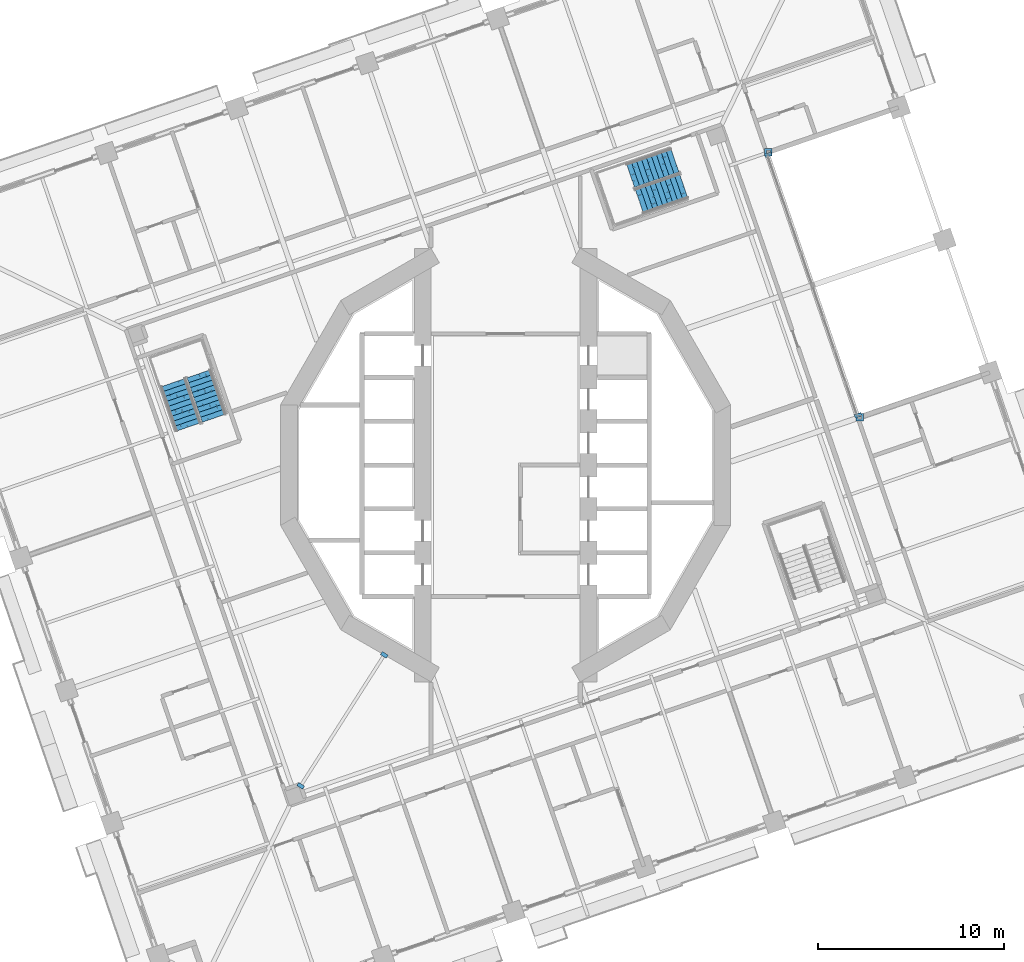
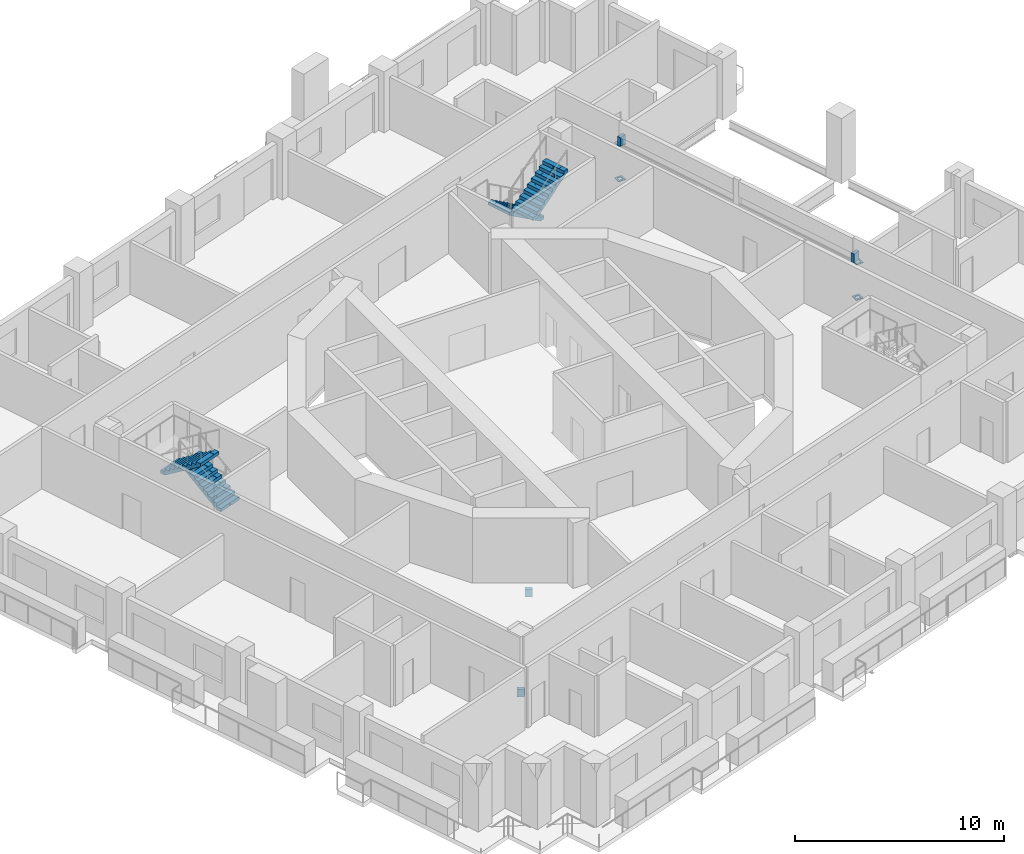
# One storey, part 13 of 19: 8 discrete accessories, 4 stair flights, 2 elements without a shape of their own.
"""IFC4 building model written with IfcOpenShell, lengths in metres."""

from ifc_helpers import new_model, si_unit, direction, frame, origin, place, context, subcontext, project, spatial, polyline, outline, extrude, material, layer, layer_set, type_object, element, aggregate, save


model = new_model("IFC4")

# Units and contexts
model_context = context("Model", 3, precision=1e-05, world=origin(), true_north=direction((0.0, 1.0)))
body_context = subcontext(model_context, "Body", "Model", "MODEL_VIEW")
ifc_project = project(units=[si_unit("LENGTHUNIT", "METRE"), si_unit("AREAUNIT", "SQUARE_METRE"), si_unit("VOLUMEUNIT", "CUBIC_METRE"), si_unit("PLANEANGLEUNIT", "RADIAN"), si_unit("MASSUNIT", "GRAM", prefix="KILO")], contexts=[model_context])

# Site, building, storey
site_placement = place(None, origin())
site = spatial("IfcSite", under=ifc_project, at=site_placement, CompositionType="ELEMENT")
building_placement = place(site_placement, origin())
building = spatial("IfcBuilding", under=site, at=building_placement, Name="Cantera Rosa Tower", CompositionType="ELEMENT")
storey_placement = place(building_placement, frame((0.0, 0.0, 126.89990234375)))
storey = spatial("IfcBuildingStorey", under=building, at=storey_placement, Name="L26", CompositionType="ELEMENT", Elevation=126.89990234375)

# Stair, stair flights
ifc_material_1 = material(Name="Concrete C35/45", Category="concrete")
stair_type = type_object("IfcStairType", Name="EXIT STAIR 1350 DOGLEG", PredefinedType="HALF_TURN_STAIR", material=ifc_material_1)
stair_1_placement = place(storey_placement, origin())
stair_1 = element("IfcStair", 1, at=stair_1_placement, inside=storey, type_object=stair_type, Name="L26 ST-21", PredefinedType="HALF_TURN_STAIR")
ifc_material_2 = material(Name="Concrete C35/45", Category="concrete")
stair_flight_type = type_object("IfcStairFlightType", Name="STAIR FLIGHT 1350 R20x190", PredefinedType="STRAIGHT", material=ifc_material_2)
stair_flight_1_placement = place(storey_placement, frame((9.07958984375, 16.364990234375, 0.0), z_axis=(0.0, 0.0, 1.0), x_axis=(-0.945518575599, -0.325568154457, 0.0)))
stair_flight_1 = element("IfcStairFlight", 2, at=stair_flight_1_placement, type_object=stair_flight_type, Name="ST-21 flight 1", NumberOfRisers=10, NumberOfTreads=9, PredefinedType="STRAIGHT", RiserHeight=0.19, TreadLength=0.28, context=body_context, shape_type="SweptSolid", body=[
    extrude(outline(polyline([(0.0, 0.0), (0.0, 0.18994140625), (0.280029296875, 0.18994140625), (0.280029296875, 0.3798828125), (0.56005859375, 0.3798828125), (0.56005859375, 0.570068359375), (0.840087890625, 0.570068359375), (0.840087890625, 0.760009765625), (1.1201171875, 0.760009765625), (1.1201171875, 0.949951171875), (1.39990234375, 0.949951171875), (1.39990234375, 1.139892578125), (1.679931640625, 1.139892578125), (1.679931640625, 1.330078125), (1.9599609375, 1.330078125), (1.9599609375, 1.52001953125), (2.239990234375, 1.52001953125), (2.239990234375, 1.7099609375), (2.52001953125, 1.7099609375), (2.52001953125, 1.89990234375), (2.52001953125, 1.52880859375), (0.266845703125, 0.0), (0.0, 0.0)])), frame((0.0, 0.675048828125, 0.0), z_axis=(0.0, -1.0, 0.0), x_axis=(1.0, 0.0, 0.0)), (0.0, 0.0, 1.0), 0.3359375),
    extrude(outline(polyline([(0.0, 0.0), (0.0, 0.18994140625), (0.280029296875, 0.18994140625), (0.280029296875, 0.3798828125), (0.56005859375, 0.3798828125), (0.56005859375, 0.570068359375), (0.840087890625, 0.570068359375), (0.840087890625, 0.760009765625), (1.1201171875, 0.760009765625), (1.1201171875, 0.949951171875), (1.39990234375, 0.949951171875), (1.39990234375, 1.139892578125), (1.679931640625, 1.139892578125), (1.679931640625, 1.330078125), (1.9599609375, 1.330078125), (1.9599609375, 1.52001953125), (2.239990234375, 1.52001953125), (2.239990234375, 1.7099609375), (2.52001953125, 1.7099609375), (2.52001953125, 1.89990234375), (2.52001953125, 1.52880859375), (0.266845703125, 0.0), (0.0, 0.0)])), frame((0.0, 0.337158203125, 0.0), z_axis=(0.0, -1.0, 0.0), x_axis=(1.0, 0.0, 0.0)), (0.0, 0.0, 1.0), 0.3359375),
    extrude(outline(polyline([(0.0, 0.0), (0.0, 0.18994140625), (0.280029296875, 0.18994140625), (0.280029296875, 0.3798828125), (0.56005859375, 0.3798828125), (0.56005859375, 0.570068359375), (0.840087890625, 0.570068359375), (0.840087890625, 0.760009765625), (1.1201171875, 0.760009765625), (1.1201171875, 0.949951171875), (1.39990234375, 0.949951171875), (1.39990234375, 1.139892578125), (1.679931640625, 1.139892578125), (1.679931640625, 1.330078125), (1.9599609375, 1.330078125), (1.9599609375, 1.52001953125), (2.239990234375, 1.52001953125), (2.239990234375, 1.7099609375), (2.52001953125, 1.7099609375), (2.52001953125, 1.89990234375), (2.52001953125, 1.52880859375), (0.266845703125, 0.0), (0.0, 0.0)])), frame((0.0, -0.000732421875, 0.0), z_axis=(0.0, -1.0, 0.0), x_axis=(1.0, 0.0, 0.0)), (0.0, 0.0, 1.0), 0.3359375),
    extrude(outline(polyline([(0.0, 0.0), (0.0, 0.18994140625), (0.280029296875, 0.18994140625), (0.280029296875, 0.3798828125), (0.56005859375, 0.3798828125), (0.56005859375, 0.570068359375), (0.840087890625, 0.570068359375), (0.840087890625, 0.760009765625), (1.1201171875, 0.760009765625), (1.1201171875, 0.949951171875), (1.39990234375, 0.949951171875), (1.39990234375, 1.139892578125), (1.679931640625, 1.139892578125), (1.679931640625, 1.330078125), (1.9599609375, 1.330078125), (1.9599609375, 1.52001953125), (2.239990234375, 1.52001953125), (2.239990234375, 1.7099609375), (2.52001953125, 1.7099609375), (2.52001953125, 1.89990234375), (2.52001953125, 1.52880859375), (0.266845703125, 0.0), (0.0, 0.0)])), frame((0.0, -0.338623046875, 0.0), z_axis=(0.0, -1.0, 0.0), x_axis=(1.0, 0.0, 0.0)), (0.0, 0.0, 1.0), 0.3359375),
])
stair_flight_2_placement = place(storey_placement, frame((7.185302734375, 14.126220703125, 1.900146484375), z_axis=(0.0, 0.0, 1.0), x_axis=(0.945518575599, 0.325568154457, 0.0)))
stair_flight_2 = element("IfcStairFlight", 3, at=stair_flight_2_placement, type_object=stair_flight_type, Name="ST-21 flight 2", NumberOfRisers=10, NumberOfTreads=9, PredefinedType="STRAIGHT", RiserHeight=0.19, TreadLength=0.28, context=body_context, shape_type="SweptSolid", body=[
    extrude(outline(polyline([(0.0, 0.0), (0.0, 0.18994140625), (0.280029296875, 0.18994140625), (0.280029296875, 0.3798828125), (0.56005859375, 0.3798828125), (0.56005859375, 0.570068359375), (0.840087890625, 0.570068359375), (0.840087890625, 0.760009765625), (1.1201171875, 0.760009765625), (1.1201171875, 0.949951171875), (1.39990234375, 0.949951171875), (1.39990234375, 1.139892578125), (1.679931640625, 1.139892578125), (1.679931640625, 1.330078125), (1.9599609375, 1.330078125), (1.9599609375, 1.52001953125), (2.239990234375, 1.52001953125), (2.239990234375, 1.7099609375), (2.52001953125, 1.7099609375), (2.52001953125, 1.89990234375), (2.52001953125, 1.52880859375), (0.266845703125, 0.0), (0.0, 0.0)])), frame((0.0, 0.675048828125, 0.0), z_axis=(0.0, -1.0, 0.0), x_axis=(1.0, 0.0, 0.0)), (0.0, 0.0, 1.0), 0.3359375),
    extrude(outline(polyline([(0.0, 0.0), (0.0, 0.18994140625), (0.280029296875, 0.18994140625), (0.280029296875, 0.3798828125), (0.56005859375, 0.3798828125), (0.56005859375, 0.570068359375), (0.840087890625, 0.570068359375), (0.840087890625, 0.760009765625), (1.1201171875, 0.760009765625), (1.1201171875, 0.949951171875), (1.39990234375, 0.949951171875), (1.39990234375, 1.139892578125), (1.679931640625, 1.139892578125), (1.679931640625, 1.330078125), (1.9599609375, 1.330078125), (1.9599609375, 1.52001953125), (2.239990234375, 1.52001953125), (2.239990234375, 1.7099609375), (2.52001953125, 1.7099609375), (2.52001953125, 1.89990234375), (2.52001953125, 1.52880859375), (0.266845703125, 0.0), (0.0, 0.0)])), frame((0.0, 0.337158203125, 0.0), z_axis=(0.0, -1.0, 0.0), x_axis=(1.0, 0.0, 0.0)), (0.0, 0.0, 1.0), 0.3359375),
    extrude(outline(polyline([(0.0, 0.0), (0.0, 0.18994140625), (0.280029296875, 0.18994140625), (0.280029296875, 0.3798828125), (0.56005859375, 0.3798828125), (0.56005859375, 0.570068359375), (0.840087890625, 0.570068359375), (0.840087890625, 0.760009765625), (1.1201171875, 0.760009765625), (1.1201171875, 0.949951171875), (1.39990234375, 0.949951171875), (1.39990234375, 1.139892578125), (1.679931640625, 1.139892578125), (1.679931640625, 1.330078125), (1.9599609375, 1.330078125), (1.9599609375, 1.52001953125), (2.239990234375, 1.52001953125), (2.239990234375, 1.7099609375), (2.52001953125, 1.7099609375), (2.52001953125, 1.89990234375), (2.52001953125, 1.52880859375), (0.266845703125, 0.0), (0.0, 0.0)])), frame((0.0, -0.000732421875, 0.0), z_axis=(0.0, -1.0, 0.0), x_axis=(1.0, 0.0, 0.0)), (0.0, 0.0, 1.0), 0.3359375),
    extrude(outline(polyline([(0.0, 0.0), (0.0, 0.18994140625), (0.280029296875, 0.18994140625), (0.280029296875, 0.3798828125), (0.56005859375, 0.3798828125), (0.56005859375, 0.570068359375), (0.840087890625, 0.570068359375), (0.840087890625, 0.760009765625), (1.1201171875, 0.760009765625), (1.1201171875, 0.949951171875), (1.39990234375, 0.949951171875), (1.39990234375, 1.139892578125), (1.679931640625, 1.139892578125), (1.679931640625, 1.330078125), (1.9599609375, 1.330078125), (1.9599609375, 1.52001953125), (2.239990234375, 1.52001953125), (2.239990234375, 1.7099609375), (2.52001953125, 1.7099609375), (2.52001953125, 1.89990234375), (2.52001953125, 1.52880859375), (0.266845703125, 0.0), (0.0, 0.0)])), frame((0.0, -0.338623046875, 0.0), z_axis=(0.0, -1.0, 0.0), x_axis=(1.0, 0.0, 0.0)), (0.0, 0.0, 1.0), 0.3359375),
])
aggregate(stair_1, [stair_flight_1, stair_flight_2])

stair_2_placement = place(storey_placement, origin())
stair_2 = element("IfcStair", 4, at=stair_2_placement, inside=storey, type_object=stair_type, Name="L26 ST-22", PredefinedType="HALF_TURN_STAIR")
stair_flight_3_placement = place(storey_placement, frame((-15.635009765625, 2.5205078125, 0.0), z_axis=(0.0, 0.0, 1.0), x_axis=(-0.325568154457, 0.945518575599, 0.0)))
stair_flight_3 = element("IfcStairFlight", 5, at=stair_flight_3_placement, type_object=stair_flight_type, Name="ST-22 flight 1", NumberOfRisers=10, NumberOfTreads=9, PredefinedType="STRAIGHT", RiserHeight=0.19, TreadLength=0.28, context=body_context, shape_type="SweptSolid", body=[
    extrude(outline(polyline([(0.0, 0.0), (0.0, 0.18994140625), (0.280029296875, 0.18994140625), (0.280029296875, 0.3798828125), (0.56005859375, 0.3798828125), (0.56005859375, 0.570068359375), (0.840087890625, 0.570068359375), (0.840087890625, 0.760009765625), (1.1201171875, 0.760009765625), (1.1201171875, 0.949951171875), (1.39990234375, 0.949951171875), (1.39990234375, 1.139892578125), (1.679931640625, 1.139892578125), (1.679931640625, 1.330078125), (1.9599609375, 1.330078125), (1.9599609375, 1.52001953125), (2.239990234375, 1.52001953125), (2.239990234375, 1.7099609375), (2.52001953125, 1.7099609375), (2.52001953125, 1.89990234375), (2.52001953125, 1.52880859375), (0.266845703125, 0.0), (0.0, 0.0)])), frame((0.0, 0.675048828125, 0.0), z_axis=(0.0, -1.0, 0.0), x_axis=(1.0, 0.0, 0.0)), (0.0, 0.0, 1.0), 0.3359375),
    extrude(outline(polyline([(0.0, 0.0), (0.0, 0.18994140625), (0.280029296875, 0.18994140625), (0.280029296875, 0.3798828125), (0.56005859375, 0.3798828125), (0.56005859375, 0.570068359375), (0.840087890625, 0.570068359375), (0.840087890625, 0.760009765625), (1.1201171875, 0.760009765625), (1.1201171875, 0.949951171875), (1.39990234375, 0.949951171875), (1.39990234375, 1.139892578125), (1.679931640625, 1.139892578125), (1.679931640625, 1.330078125), (1.9599609375, 1.330078125), (1.9599609375, 1.52001953125), (2.239990234375, 1.52001953125), (2.239990234375, 1.7099609375), (2.52001953125, 1.7099609375), (2.52001953125, 1.89990234375), (2.52001953125, 1.52880859375), (0.266845703125, 0.0), (0.0, 0.0)])), frame((0.0, 0.337158203125, 0.0), z_axis=(0.0, -1.0, 0.0), x_axis=(1.0, 0.0, 0.0)), (0.0, 0.0, 1.0), 0.3359375),
    extrude(outline(polyline([(0.0, 0.0), (0.0, 0.18994140625), (0.280029296875, 0.18994140625), (0.280029296875, 0.3798828125), (0.56005859375, 0.3798828125), (0.56005859375, 0.570068359375), (0.840087890625, 0.570068359375), (0.840087890625, 0.760009765625), (1.1201171875, 0.760009765625), (1.1201171875, 0.949951171875), (1.39990234375, 0.949951171875), (1.39990234375, 1.139892578125), (1.679931640625, 1.139892578125), (1.679931640625, 1.330078125), (1.9599609375, 1.330078125), (1.9599609375, 1.52001953125), (2.239990234375, 1.52001953125), (2.239990234375, 1.7099609375), (2.52001953125, 1.7099609375), (2.52001953125, 1.89990234375), (2.52001953125, 1.52880859375), (0.266845703125, 0.0), (0.0, 0.0)])), frame((0.0, -0.000732421875, 0.0), z_axis=(0.0, -1.0, 0.0), x_axis=(1.0, 0.0, 0.0)), (0.0, 0.0, 1.0), 0.3359375),
    extrude(outline(polyline([(0.0, 0.0), (0.0, 0.18994140625), (0.280029296875, 0.18994140625), (0.280029296875, 0.3798828125), (0.56005859375, 0.3798828125), (0.56005859375, 0.570068359375), (0.840087890625, 0.570068359375), (0.840087890625, 0.760009765625), (1.1201171875, 0.760009765625), (1.1201171875, 0.949951171875), (1.39990234375, 0.949951171875), (1.39990234375, 1.139892578125), (1.679931640625, 1.139892578125), (1.679931640625, 1.330078125), (1.9599609375, 1.330078125), (1.9599609375, 1.52001953125), (2.239990234375, 1.52001953125), (2.239990234375, 1.7099609375), (2.52001953125, 1.7099609375), (2.52001953125, 1.89990234375), (2.52001953125, 1.52880859375), (0.266845703125, 0.0), (0.0, 0.0)])), frame((0.0, -0.338623046875, 0.0), z_axis=(0.0, -1.0, 0.0), x_axis=(1.0, 0.0, 0.0)), (0.0, 0.0, 1.0), 0.3359375),
])
stair_flight_4_placement = place(storey_placement, frame((-17.873779296875, 4.414794921875, 1.900146484375), z_axis=(0.0, 0.0, 1.0), x_axis=(0.325568154457, -0.945518575599, 0.0)))
stair_flight_4 = element("IfcStairFlight", 6, at=stair_flight_4_placement, type_object=stair_flight_type, Name="ST-22 flight 2", NumberOfRisers=10, NumberOfTreads=9, PredefinedType="STRAIGHT", RiserHeight=0.19, TreadLength=0.28, context=body_context, shape_type="SweptSolid", body=[
    extrude(outline(polyline([(0.0, 0.0), (0.0, 0.18994140625), (0.280029296875, 0.18994140625), (0.280029296875, 0.3798828125), (0.56005859375, 0.3798828125), (0.56005859375, 0.570068359375), (0.840087890625, 0.570068359375), (0.840087890625, 0.760009765625), (1.1201171875, 0.760009765625), (1.1201171875, 0.949951171875), (1.39990234375, 0.949951171875), (1.39990234375, 1.139892578125), (1.679931640625, 1.139892578125), (1.679931640625, 1.330078125), (1.9599609375, 1.330078125), (1.9599609375, 1.52001953125), (2.239990234375, 1.52001953125), (2.239990234375, 1.7099609375), (2.52001953125, 1.7099609375), (2.52001953125, 1.89990234375), (2.52001953125, 1.52880859375), (0.266845703125, 0.0), (0.0, 0.0)])), frame((0.0, 0.675048828125, 0.0), z_axis=(0.0, -1.0, 0.0), x_axis=(1.0, 0.0, 0.0)), (0.0, 0.0, 1.0), 0.3359375),
    extrude(outline(polyline([(0.0, 0.0), (0.0, 0.18994140625), (0.280029296875, 0.18994140625), (0.280029296875, 0.3798828125), (0.56005859375, 0.3798828125), (0.56005859375, 0.570068359375), (0.840087890625, 0.570068359375), (0.840087890625, 0.760009765625), (1.1201171875, 0.760009765625), (1.1201171875, 0.949951171875), (1.39990234375, 0.949951171875), (1.39990234375, 1.139892578125), (1.679931640625, 1.139892578125), (1.679931640625, 1.330078125), (1.9599609375, 1.330078125), (1.9599609375, 1.52001953125), (2.239990234375, 1.52001953125), (2.239990234375, 1.7099609375), (2.52001953125, 1.7099609375), (2.52001953125, 1.89990234375), (2.52001953125, 1.52880859375), (0.266845703125, 0.0), (0.0, 0.0)])), frame((0.0, 0.337158203125, 0.0), z_axis=(0.0, -1.0, 0.0), x_axis=(1.0, 0.0, 0.0)), (0.0, 0.0, 1.0), 0.3359375),
    extrude(outline(polyline([(0.0, 0.0), (0.0, 0.18994140625), (0.280029296875, 0.18994140625), (0.280029296875, 0.3798828125), (0.56005859375, 0.3798828125), (0.56005859375, 0.570068359375), (0.840087890625, 0.570068359375), (0.840087890625, 0.760009765625), (1.1201171875, 0.760009765625), (1.1201171875, 0.949951171875), (1.39990234375, 0.949951171875), (1.39990234375, 1.139892578125), (1.679931640625, 1.139892578125), (1.679931640625, 1.330078125), (1.9599609375, 1.330078125), (1.9599609375, 1.52001953125), (2.239990234375, 1.52001953125), (2.239990234375, 1.7099609375), (2.52001953125, 1.7099609375), (2.52001953125, 1.89990234375), (2.52001953125, 1.52880859375), (0.266845703125, 0.0), (0.0, 0.0)])), frame((0.0, -0.000732421875, 0.0), z_axis=(0.0, -1.0, 0.0), x_axis=(1.0, 0.0, 0.0)), (0.0, 0.0, 1.0), 0.3359375),
    extrude(outline(polyline([(0.0, 0.0), (0.0, 0.18994140625), (0.280029296875, 0.18994140625), (0.280029296875, 0.3798828125), (0.56005859375, 0.3798828125), (0.56005859375, 0.570068359375), (0.840087890625, 0.570068359375), (0.840087890625, 0.760009765625), (1.1201171875, 0.760009765625), (1.1201171875, 0.949951171875), (1.39990234375, 0.949951171875), (1.39990234375, 1.139892578125), (1.679931640625, 1.139892578125), (1.679931640625, 1.330078125), (1.9599609375, 1.330078125), (1.9599609375, 1.52001953125), (2.239990234375, 1.52001953125), (2.239990234375, 1.7099609375), (2.52001953125, 1.7099609375), (2.52001953125, 1.89990234375), (2.52001953125, 1.52880859375), (0.266845703125, 0.0), (0.0, 0.0)])), frame((0.0, -0.338623046875, 0.0), z_axis=(0.0, -1.0, 0.0), x_axis=(1.0, 0.0, 0.0)), (0.0, 0.0, 1.0), 0.3359375),
])
aggregate(stair_2, [stair_flight_3, stair_flight_4])

# Discrete accessories
ifc_material_3 = material(Name="Steel ASTM A992 (Fy 345 MPa)", Category="steel")
ifc_layer = layer(ifc_material_3, 0.0400390625)
ifc_layer_set = layer_set([ifc_layer], Name="STEEL BEARING PLATE 40")
discrete_accessory_type = type_object("IfcDiscreteAccessoryType", Name="STEEL BEARING PLATE 40", PredefinedType="ANCHORPLATE", material=ifc_layer_set)
discrete_accessory_1_placement = place(storey_placement, frame((0.0, 0.0, -0.727783203125)))
element("IfcDiscreteAccessory", 7, at=discrete_accessory_1_placement, inside=storey, type_object=discrete_accessory_type, Name="BEARING PLATE PG-Z2-01 end 1 L26", PredefinedType="ANCHORPLATE", context=body_context, shape_type="SweptSolid", body=[
    extrude(outline(polyline([(-11.09619140625, -17.02783203125), (-11.203857421875, -17.1962890625), (-10.8955078125, -17.393310546875), (-10.787841796875, -17.224853515625), (-11.09619140625, -17.02783203125)])), origin(), (0.0, 0.0, 1.0), 0.427978515625),
])
discrete_accessory_2_placement = place(storey_placement, frame((0.0, 0.0, -0.727783203125)))
element("IfcDiscreteAccessory", 8, at=discrete_accessory_2_placement, inside=storey, type_object=discrete_accessory_type, Name="BEARING PLATE PG-Z2-01 end 2 L26", PredefinedType="ANCHORPLATE", context=body_context, shape_type="SweptSolid", body=[
    extrude(outline(polyline([(-6.40673828125, -10.367919921875), (-6.29931640625, -10.19921875), (-6.607666015625, -10.002197265625), (-6.71533203125, -10.170654296875), (-6.40673828125, -10.367919921875)])), origin(), (0.0, 0.0, 1.0), 0.427978515625),
])
for number, where, name in (
    (9, (0.0, 0.0, 0.0), "POST PLATE L26-1F"),
    (10, (0.0, 0.0, 2.066162109375), "POST PLATE L26-1T"),
):
    element("IfcDiscreteAccessory", number, at=place(storey_placement, frame(where)), inside=storey, type_object=discrete_accessory_type, Name=name, PredefinedType="ANCHORPLATE", context=body_context, shape_type="SweptSolid", body=[
        extrude(outline(polyline([(18.7998046875, 2.365478515625), (19.199951171875, 2.365478515625), (19.199951171875, 2.765380859375), (18.7998046875, 2.765380859375), (18.7998046875, 2.365478515625)]), holes=[polyline([(18.89990234375, 2.465576171875), (19.099853515625, 2.465576171875), (19.099853515625, 2.66552734375), (18.89990234375, 2.66552734375), (18.89990234375, 2.465576171875)])]), origin(), (0.0, 0.0, 1.0), 0.0400390625),
    ])
for number, where, name in (
    (11, (0.0, 0.0, 0.0), "POST PLATE L26-2F"),
    (12, (0.0, 0.0, 2.066162109375), "POST PLATE L26-2T"),
):
    element("IfcDiscreteAccessory", number, at=place(storey_placement, frame(where)), inside=storey, type_object=discrete_accessory_type, Name=name, PredefinedType="ANCHORPLATE", context=body_context, shape_type="SweptSolid", body=[
        extrude(outline(polyline([(13.9033203125, 16.586181640625), (14.30322265625, 16.586181640625), (14.30322265625, 16.986083984375), (13.9033203125, 16.986083984375), (13.9033203125, 16.586181640625)]), holes=[polyline([(14.00341796875, 16.68603515625), (14.203369140625, 16.68603515625), (14.203369140625, 16.885986328125), (14.00341796875, 16.885986328125), (14.00341796875, 16.68603515625)])]), origin(), (0.0, 0.0, 1.0), 0.0400390625),
    ])
discrete_accessory_3_placement = place(storey_placement, frame((0.0, 0.0, 2.106201171875)))
element("IfcDiscreteAccessory", 13, at=discrete_accessory_3_placement, inside=storey, type_object=discrete_accessory_type, Name="LINTEL PLATE L26-1", PredefinedType="ANCHORPLATE", context=body_context, shape_type="SweptSolid", body=[
    extrude(outline(polyline([(18.706298828125, 2.702392578125), (18.771484375, 2.51318359375), (19.117431640625, 2.632568359375), (19.052490234375, 2.821533203125), (18.706298828125, 2.702392578125)])), origin(), (0.0, 0.0, 1.0), 0.52783203125),
])
discrete_accessory_4_placement = place(storey_placement, frame((0.0, 0.0, 2.106201171875)))
element("IfcDiscreteAccessory", 14, at=discrete_accessory_4_placement, inside=storey, type_object=discrete_accessory_type, Name="LINTEL PLATE L26-2", PredefinedType="ANCHORPLATE", context=body_context, shape_type="SweptSolid", body=[
    extrude(outline(polyline([(14.30224609375, 16.61669921875), (14.2373046875, 16.805908203125), (13.89111328125, 16.6865234375), (13.956298828125, 16.49755859375), (14.30224609375, 16.61669921875)])), origin(), (0.0, 0.0, 1.0), 0.52783203125),
])

save(model, "model.ifc")
